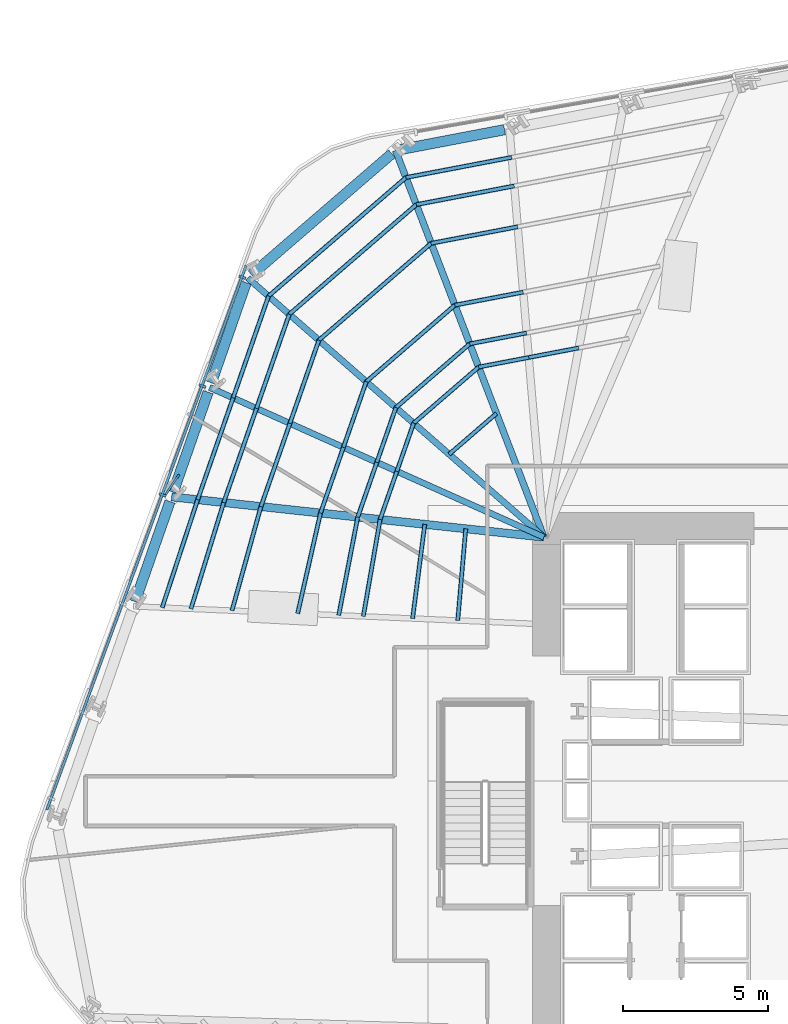
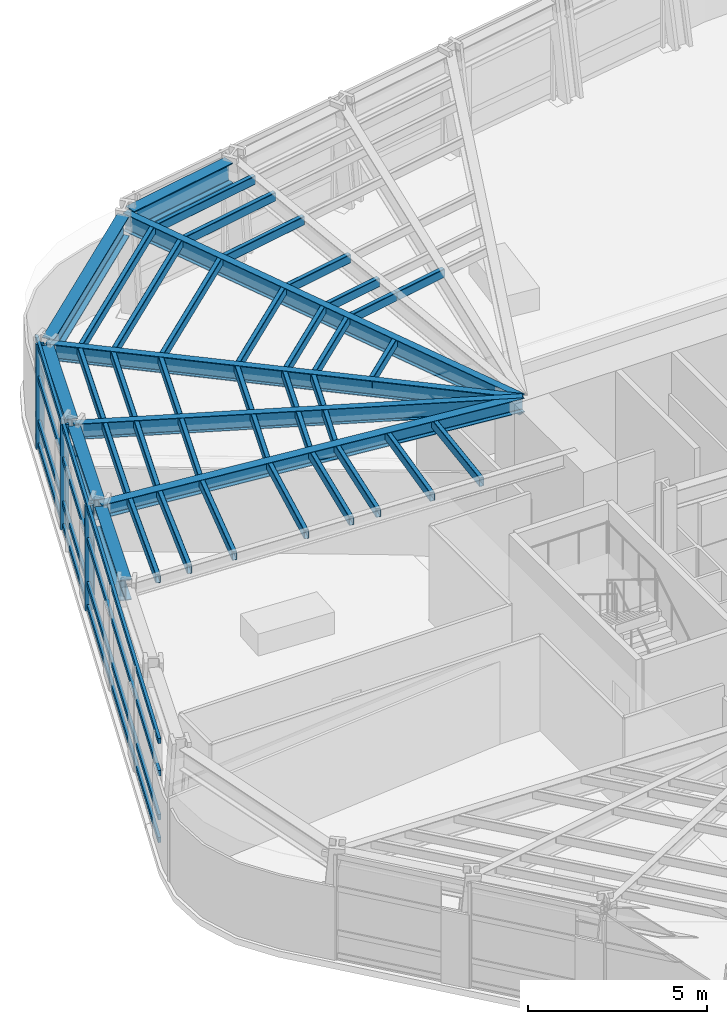
# One storey, part 5 of 16: 42 members, 9 beams, 1 element without a shape of its own.
"""IFC4 building model written with IfcOpenShell, lengths in metres."""

from ifc_helpers import new_model, si_unit, direction, frame, origin, origin_2d, place, context, subcontext, project, spatial, rectangle, hollow_rectangle, i_section, extrude, material, layer, layer_set, material_profile, profile_set, type_object, element, aggregate, save


model = new_model("IFC4")

# Units and contexts
model_context = context("Model", 3, precision=1e-05, world=origin(), true_north=direction((0.0, 1.0)))
body_context = subcontext(model_context, "Body", "Model", "MODEL_VIEW")
ifc_project = project(units=[si_unit("LENGTHUNIT", "METRE"), si_unit("AREAUNIT", "SQUARE_METRE"), si_unit("VOLUMEUNIT", "CUBIC_METRE"), si_unit("PLANEANGLEUNIT", "RADIAN"), si_unit("MASSUNIT", "GRAM", prefix="KILO")], contexts=[model_context])

# Site, building, storey
site_placement = place(None, origin())
site = spatial("IfcSite", under=ifc_project, at=site_placement, CompositionType="ELEMENT")
building_placement = place(site_placement, origin())
building = spatial("IfcBuilding", under=site, at=building_placement, Name="Valkerne Bourse Tower", CompositionType="ELEMENT")
storey_placement = place(building_placement, frame((0.0, 0.0, 65.800048828125)))
storey = spatial("IfcBuildingStorey", under=building, at=storey_placement, Name="L16", CompositionType="ELEMENT", Elevation=65.800048828125)

# Beams
ifc_material_1 = material(Name="Steel ASTM A992", Category="steel")
ifc_material_profile_1 = material_profile(ifc_material_1, i_section(OverallWidth=0.279296875, OverallDepth=0.46240234375, WebThickness=0.0107421875, FlangeThickness=0.017333984375, FilletRadius=0.017822265625, at=origin_2d()), Name="W18X76")
ifc_profile_set_1 = profile_set([ifc_material_profile_1], Name="Steel ASTM A992")
beam_type_1 = type_object("IfcBeamType", Name="BM-W18X76", PredefinedType="BEAM", material=ifc_profile_set_1)
beam_1_placement = place(storey_placement, frame((24.76171875, 36.790283203125, 3.3486328125), z_axis=(0.994186772589, -0.107669221274, 0.0), x_axis=(0.107669221274, 0.994186772589, 0.0)))
element("IfcBeam", 1, at=beam_1_placement, inside=storey, type_object=beam_type_1, Name="L16 Radial Composite Floor Beam 14", PredefinedType="BEAM", context=body_context, shape_type="SweptSolid", body=[
    extrude(i_section(OverallWidth=0.279296875, OverallDepth=0.46240234375, WebThickness=0.0107421875, FlangeThickness=0.017333984375, FilletRadius=0.017822265625, at=origin_2d()), origin(), (0.0, 0.0, 1.0), 12.913330078125),
])
ifc_material_profile_2 = material_profile(ifc_material_1, i_section(OverallWidth=0.209228515625, OverallDepth=0.533447265625, WebThickness=0.01025390625, FlangeThickness=0.015625, FilletRadius=0.017822265625, at=origin_2d()), Name="W21X62")
ifc_profile_set_2 = profile_set([ifc_material_profile_2], Name="Steel ASTM A992")
beam_type_2 = type_object("IfcBeamType", Name="BM-W21X62", PredefinedType="JOIST", material=ifc_profile_set_2)
beam_2_placement = place(storey_placement, frame((26.07568359375, 40.56396484375, 3.313232421875), z_axis=(0.912570029911, -0.408920457433, 0.0), x_axis=(0.408920457433, 0.912570029911, 0.0)))
element("IfcBeam", 2, at=beam_2_placement, inside=storey, type_object=beam_type_2, Name="L16 Radial Composite Floor Beam 13", PredefinedType="JOIST", context=body_context, shape_type="SweptSolid", body=[
    extrude(i_section(OverallWidth=0.209228515625, OverallDepth=0.533447265625, WebThickness=0.01025390625, FlangeThickness=0.015625, FilletRadius=0.017822265625, at=origin_2d()), origin(), (0.0, 0.0, 1.0), 12.62841796875),
])
ifc_material_profile_3 = material_profile(ifc_material_1, i_section(OverallWidth=0.2138671875, OverallDepth=0.548583984375, WebThickness=0.0146484375, FlangeThickness=0.023681640625, FilletRadius=0.017822265625, at=origin_2d()), Name="W21X93")
ifc_profile_set_3 = profile_set([ifc_material_profile_3], Name="Steel ASTM A992")
beam_type_3 = type_object("IfcBeamType", Name="BM-W21X93", PredefinedType="BEAM", material=ifc_profile_set_3)
beam_3_placement = place(storey_placement, frame((27.389892578125, 44.337646484375, 3.3056640625), z_axis=(0.752437360404, -0.658663813085, 0.0), x_axis=(0.658663813085, 0.752437360404, 0.0)))
element("IfcBeam", 3, at=beam_3_placement, inside=storey, type_object=beam_type_3, Name="L16 Radial Composite Floor Beam 12", PredefinedType="BEAM", context=body_context, shape_type="SweptSolid", body=[
    extrude(i_section(OverallWidth=0.2138671875, OverallDepth=0.548583984375, WebThickness=0.0146484375, FlangeThickness=0.023681640625, FilletRadius=0.017822265625, at=origin_2d()), origin(), (0.0, 0.0, 1.0), 13.569580078125),
])
ifc_material_profile_4 = material_profile(ifc_material_1, i_section(OverallWidth=0.228271484375, OverallDepth=0.607177734375, WebThickness=0.01123046875, FlangeThickness=0.017333984375, FilletRadius=0.017822265625, at=origin_2d()), Name="W24X76")
ifc_profile_set_4 = profile_set([ifc_material_profile_4], Name="Steel ASTM A992")
beam_type_4 = type_object("IfcBeamType", Name="BM-W24X76", PredefinedType="JOIST", material=ifc_profile_set_4)
beam_4_placement = place(storey_placement, frame((32.48388671875, 48.734619140625, 3.2763671875), z_axis=(0.358214942491, -0.933639146017, 0.0), x_axis=(0.933639146017, 0.358214942491, 0.0)))
element("IfcBeam", 4, at=beam_4_placement, inside=storey, type_object=beam_type_4, Name="L16 Radial Composite Floor Beam 11", PredefinedType="JOIST", context=body_context, shape_type="SweptSolid", body=[
    extrude(i_section(OverallWidth=0.228271484375, OverallDepth=0.607177734375, WebThickness=0.01123046875, FlangeThickness=0.017333984375, FilletRadius=0.017822265625, at=origin_2d()), origin(), (0.0, 0.0, 1.0), 14.282470703125),
])
ifc_material_profile_5 = material_profile(ifc_material_1, i_section(OverallWidth=0.358154296875, OverallDepth=0.7060546875, WebThickness=0.018310546875, FlangeThickness=0.0302734375, FilletRadius=0.02294921875, at=origin_2d()), Name="W27X178")
ifc_profile_set_5 = profile_set([ifc_material_profile_5], Name="Steel ASTM A992")
beam_type_5 = type_object("IfcBeamType", Name="BM-W27X178", PredefinedType="SPANDREL", material=ifc_profile_set_5)
beam_5_placement = place(storey_placement, frame((36.241943359375, 49.451416015625, 3.226806640625), z_axis=(-0.982298211292, -0.187323848166, 0.0), x_axis=(0.187323848166, -0.982298211292, 0.0)))
element("IfcBeam", 5, at=beam_5_placement, inside=storey, type_object=beam_type_5, Name="L16 Hexagonal Spandrel Ring Beam 10", PredefinedType="SPANDREL", context=body_context, shape_type="SweptSolid", body=[
    extrude(i_section(OverallWidth=0.358154296875, OverallDepth=0.7060546875, WebThickness=0.018310546875, FlangeThickness=0.0302734375, FilletRadius=0.02294921875, at=origin_2d()), origin(), (0.0, 0.0, 1.0), 3.65576171875),
])
beam_6_placement = place(storey_placement, frame((32.35498046875, 48.62353515625, 3.226806640625), z_axis=(-0.756986234467, -0.653430823291, 0.0), x_axis=(0.653430823291, -0.756986234467, 0.0)))
element("IfcBeam", 6, at=beam_6_placement, inside=storey, type_object=beam_type_5, Name="L16 Hexagonal Spandrel Ring Beam 11", PredefinedType="SPANDREL", context=body_context, shape_type="SweptSolid", body=[
    extrude(i_section(OverallWidth=0.358154296875, OverallDepth=0.7060546875, WebThickness=0.018310546875, FlangeThickness=0.0302734375, FilletRadius=0.02294921875, at=origin_2d()), origin(), (0.0, 0.0, 1.0), 6.38916015625),
])
beam_7_placement = place(storey_placement, frame((27.333984375, 44.17724609375, 3.226806640625), z_axis=(-0.328880615569, -0.94437150566, 0.0), x_axis=(0.94437150566, -0.328880615569, 0.0)))
element("IfcBeam", 7, at=beam_7_placement, inside=storey, type_object=beam_type_5, Name="L16 Hexagonal Spandrel Ring Beam 12", PredefinedType="SPANDREL", context=body_context, shape_type="SweptSolid", body=[
    extrude(i_section(OverallWidth=0.358154296875, OverallDepth=0.7060546875, WebThickness=0.018310546875, FlangeThickness=0.0302734375, FilletRadius=0.02294921875, at=origin_2d()), origin(), (0.0, 0.0, 1.0), 3.656005859375),
])
for number, where, z_axis, x_axis, name in (
    (8, (26.02001953125, 40.403564453125, 3.226806640625), (-0.328919426719, -0.94435798865, 0.0), (0.94435798865, -0.328919426719, 0.0), "L16 Hexagonal Spandrel Ring Beam 13"),
    (9, (24.705810546875, 36.6298828125, 3.226806640625), (-0.328859876585, -0.944378727827, 0.0), (0.944378727827, -0.328859876585, 0.0), "L16 Hexagonal Spandrel Ring Beam 14"),
):
    element("IfcBeam", number, at=place(storey_placement, frame(where, z_axis=z_axis, x_axis=x_axis)), inside=storey, type_object=beam_type_5, Name=name, PredefinedType="SPANDREL", context=body_context, shape_type="SweptSolid", body=[
        extrude(i_section(OverallWidth=0.358154296875, OverallDepth=0.7060546875, WebThickness=0.018310546875, FlangeThickness=0.0302734375, FilletRadius=0.02294921875, at=origin_2d()), origin(), (0.0, 0.0, 1.0), 3.65625),
    ])

# Curtain wall, members
ifc_material_2 = material(Name="Aluminium AA 6063-T6", Category="aluminium")
ifc_layer = layer(ifc_material_2, 0.22509765625)
ifc_layer_set = layer_set([ifc_layer], Name="Aluminium AA 6063-T6")
curtain_wall_type = type_object("IfcCurtainWallType", Name="CW-01", PredefinedType="NOTDEFINED", material=ifc_layer_set)
curtain_wall_placement = place(storey_placement, origin())
curtain_wall = element("IfcCurtainWall", 10, at=curtain_wall_placement, inside=storey, type_object=curtain_wall_type, Name="L16 Hexagonal Stick Curtain Wall Face 3", PredefinedType="NOTDEFINED")
ifc_material_profile_6 = material_profile(ifc_material_2, rectangle(XDim=0.090087890625, YDim=0.239990234375, at=origin_2d()), Name="CWM-90X240")
ifc_profile_set_6 = profile_set([ifc_material_profile_6], Name="Aluminium AA 6063-T6")
member_type_1 = type_object("IfcMemberType", Name="CW-MUL-240X90", PredefinedType="MULLION", material=ifc_profile_set_6)
member_1_placement = place(storey_placement, frame((27.201171875, 44.36279296875, 0.0), z_axis=(0.0, 0.0, 1.0), x_axis=(-0.343661198738, -0.939093701652, 0.0)))
member_1 = element("IfcMember", 11, at=member_1_placement, type_object=member_type_1, Name="CW-L16-F3 Jamb Mullion 00A", PredefinedType="MULLION", context=body_context, shape_type="SweptSolid", body=[
    extrude(rectangle(XDim=0.090087890625, YDim=0.239990234375, at=origin_2d()), origin(), (0.0, 0.0, 1.0), 3.579833984375),
])
member_2_placement = place(storey_placement, frame((25.827880859375, 40.610107421875, 0.0), z_axis=(0.0, 0.0, 1.0), x_axis=(-0.343669275067, -0.939090746081, 0.0)))
member_2 = element("IfcMember", 12, at=member_2_placement, type_object=member_type_1, Name="CW-L16-F3 Jamb Mullion 01A", PredefinedType="MULLION", context=body_context, shape_type="SweptSolid", body=[
    extrude(rectangle(XDim=0.090087890625, YDim=0.239990234375, at=origin_2d()), origin(), (0.0, 0.0, 1.0), 3.579833984375),
])
member_3_placement = place(storey_placement, frame((24.45458984375, 36.857666015625, 0.0), z_axis=(0.0, 0.0, 1.0), x_axis=(-0.343647205386, -0.939098822398, 0.0)))
member_3 = element("IfcMember", 13, at=member_3_placement, type_object=member_type_1, Name="CW-L16-F3 Jamb Mullion 02A", PredefinedType="MULLION", context=body_context, shape_type="SweptSolid", body=[
    extrude(rectangle(XDim=0.090087890625, YDim=0.239990234375, at=origin_2d()), origin(), (0.0, 0.0, 1.0), 3.579833984375),
])
ifc_material_profile_7 = material_profile(ifc_material_2, rectangle(XDim=0.090087890625, YDim=0.179931640625, at=origin_2d()), Name="CWT-90X180")
ifc_profile_set_7 = profile_set([ifc_material_profile_7], Name="Aluminium AA 6063-T6")
member_type_2 = type_object("IfcMemberType", Name="CW-TRN-180X90", PredefinedType="USERDEFINED", material=ifc_profile_set_7)
member_4_placement = place(storey_placement, frame((27.32666015625, 44.76416015625, 0.119873046875), z_axis=(-0.343664326706, -0.939092556966, 0.0), x_axis=(0.939092556966, -0.343664326706, 0.0)))
member_4 = element("IfcMember", 14, at=member_4_placement, type_object=member_type_2, Name="CW-L16-F3 Continuous Face Transom 1", ObjectType="TRANSOM", PredefinedType="USERDEFINED", context=body_context, shape_type="SweptSolid", body=[
    extrude(rectangle(XDim=0.090087890625, YDim=0.179931640625, at=origin_2d()), origin(), (0.0, 0.0, 1.0), 19.980224609375),
])
member_5_placement = place(storey_placement, frame((27.32666015625, 44.76416015625, 0.89990234375), z_axis=(-0.343664326706, -0.939092556966, 0.0), x_axis=(0.939092556966, -0.343664326706, 0.0)))
member_5 = element("IfcMember", 15, at=member_5_placement, type_object=member_type_2, Name="CW-L16-F3 Continuous Face Transom 2", ObjectType="TRANSOM", PredefinedType="USERDEFINED", context=body_context, shape_type="SweptSolid", body=[
    extrude(rectangle(XDim=0.090087890625, YDim=0.179931640625, at=origin_2d()), origin(), (0.0, 0.0, 1.0), 19.980224609375),
])
member_6_placement = place(storey_placement, frame((27.32666015625, 44.76416015625, 2.39990234375), z_axis=(-0.343664326706, -0.939092556966, 0.0), x_axis=(0.939092556966, -0.343664326706, 0.0)))
member_6 = element("IfcMember", 16, at=member_6_placement, type_object=member_type_2, Name="CW-L16-F3 Continuous Face Transom 3", ObjectType="TRANSOM", PredefinedType="USERDEFINED", context=body_context, shape_type="SweptSolid", body=[
    extrude(rectangle(XDim=0.090087890625, YDim=0.179931640625, at=origin_2d()), origin(), (0.0, 0.0, 1.0), 19.980224609375),
])
member_7_placement = place(storey_placement, frame((27.32666015625, 44.76416015625, 3.5), z_axis=(-0.343664326706, -0.939092556966, 0.0), x_axis=(0.939092556966, -0.343664326706, 0.0)))
member_7 = element("IfcMember", 17, at=member_7_placement, type_object=member_type_2, Name="CW-L16-F3 Continuous Face Transom 4", ObjectType="TRANSOM", PredefinedType="USERDEFINED", context=body_context, shape_type="SweptSolid", body=[
    extrude(rectangle(XDim=0.090087890625, YDim=0.179931640625, at=origin_2d()), origin(), (0.0, 0.0, 1.0), 19.980224609375),
])
aggregate(curtain_wall, [member_4, member_5, member_6, member_7, member_1, member_2, member_3])

# Members
ifc_material_3 = material(Name="Bronze Anodised Aluminium AA 6063-T6", Category="aluminium")
ifc_material_profile_8 = material_profile(ifc_material_3, rectangle(XDim=0.070068359375, YDim=0.89990234375, at=origin_2d()), Name="FIN-70X900")
ifc_profile_set_8 = profile_set([ifc_material_profile_8], Name="Bronze Anodised Aluminium AA 6063-T6")
member_type_3 = type_object("IfcMemberType", Name="FIN-SOLAR-900", PredefinedType="USERDEFINED", material=ifc_profile_set_8)
member_8_placement = place(storey_placement, frame((24.767822265625, 37.190185546875, 0.00390625), z_axis=(0.0, 0.0, 1.0), x_axis=(-0.828385006112, 0.560159157427, 0.0)))
element("IfcMember", 18, at=member_8_placement, inside=storey, type_object=member_type_3, Name="L16 Bronze Anodised Solar Fin F3-02", ObjectType="SOLAR_FIN", PredefinedType="USERDEFINED", context=body_context, shape_type="SweptSolid", body=[
    extrude(rectangle(XDim=0.070068359375, YDim=0.89990234375, at=origin_2d()), origin(), (0.0, 0.0, 1.0), 3.572021484375),
])
ifc_material_4 = material(Name="Steel ASTM A500 Grade C", Category="steel")
ifc_material_profile_9 = material_profile(ifc_material_4, hollow_rectangle(XDim=0.14990234375, YDim=0.300048828125, WallThickness=0.012451171875, OuterFilletRadius=0.02490234375, at=origin_2d()), Name="HSS300X150X12.5")
ifc_profile_set_9 = profile_set([ifc_material_profile_9], Name="Steel ASTM A500 Grade C")
member_type_4 = type_object("IfcMemberType", Name="MBR-HSS300X150X12.5", PredefinedType="PURLIN", material=ifc_profile_set_9)
member_9_placement = place(storey_placement, frame((35.962890625, 39.6669921875, 3.419921875), z_axis=(-0.757019270419, -0.653392549861, 0.0), x_axis=(0.653392549861, -0.757019270419, 0.0)))
element("IfcMember", 19, at=member_9_placement, inside=storey, type_object=member_type_4, Name="L16 Secondary Composite Floor Purlin I-11", PredefinedType="PURLIN", context=body_context, shape_type="SweptSolid", body=[
    extrude(hollow_rectangle(XDim=0.14990234375, YDim=0.300048828125, WallThickness=0.012451171875, OuterFilletRadius=0.02490234375, at=origin_2d()), origin(), (0.0, 0.0, 1.0), 2.1533203125),
])
member_10_placement = place(storey_placement, frame((33.49169921875, 35.844970703125, 3.419921875), z_axis=(-0.128382941001, -0.991724669684, 0.0), x_axis=(0.991724669684, -0.128382941001, 0.0)))
element("IfcMember", 20, at=member_10_placement, inside=storey, type_object=member_type_4, Name="L16 Secondary Composite Floor Purlin I-14", PredefinedType="PURLIN", context=body_context, shape_type="SweptSolid", body=[
    extrude(hollow_rectangle(XDim=0.14990234375, YDim=0.300048828125, WallThickness=0.012451171875, OuterFilletRadius=0.02490234375, at=origin_2d()), origin(), (0.0, 0.0, 1.0), 3.274658203125),
])
member_11_placement = place(storey_placement, frame((38.802978515625, 41.926025390625, 3.419921875), z_axis=(-0.982298435381, -0.187322673075, 0.0), x_axis=(0.187322673075, -0.982298435381, 0.0)))
element("IfcMember", 21, at=member_11_placement, inside=storey, type_object=member_type_4, Name="L16 Secondary Composite Floor Purlin K-09", PredefinedType="PURLIN", context=body_context, shape_type="SweptSolid", body=[
    extrude(hollow_rectangle(XDim=0.14990234375, YDim=0.300048828125, WallThickness=0.012451171875, OuterFilletRadius=0.02490234375, at=origin_2d()), origin(), (0.0, 0.0, 1.0), 1.758056640625),
])
member_12_placement = place(storey_placement, frame((37.075927734375, 41.5966796875, 3.419921875), z_axis=(-0.982272875656, -0.187456655659, 0.0), x_axis=(0.187456655659, -0.982272875656, 0.0)))
element("IfcMember", 22, at=member_12_placement, inside=storey, type_object=member_type_4, Name="L16 Secondary Composite Floor Purlin K-10", PredefinedType="PURLIN", context=body_context, shape_type="SweptSolid", body=[
    extrude(hollow_rectangle(XDim=0.14990234375, YDim=0.300048828125, WallThickness=0.012451171875, OuterFilletRadius=0.02490234375, at=origin_2d()), origin(), (0.0, 0.0, 1.0), 1.75830078125),
])
member_13_placement = place(storey_placement, frame((35.348876953125, 41.26708984375, 3.419921875), z_axis=(-0.756993564397, -0.653422331621, 0.0), x_axis=(0.653422331621, -0.756993564397, 0.0)))
element("IfcMember", 23, at=member_13_placement, inside=storey, type_object=member_type_4, Name="L16 Secondary Composite Floor Purlin K-11", PredefinedType="PURLIN", context=body_context, shape_type="SweptSolid", body=[
    extrude(hollow_rectangle(XDim=0.14990234375, YDim=0.300048828125, WallThickness=0.012451171875, OuterFilletRadius=0.02490234375, at=origin_2d()), origin(), (0.0, 0.0, 1.0), 2.960693359375),
])
member_14_placement = place(storey_placement, frame((33.107666015625, 39.33251953125, 3.419921875), z_axis=(-0.328946052704, -0.944348714411, 0.0), x_axis=(0.944348714411, -0.328946052704, 0.0)))
element("IfcMember", 24, at=member_14_placement, inside=storey, type_object=member_type_4, Name="L16 Secondary Composite Floor Purlin K-12", PredefinedType="PURLIN", context=body_context, shape_type="SweptSolid", body=[
    extrude(hollow_rectangle(XDim=0.14990234375, YDim=0.300048828125, WallThickness=0.012451171875, OuterFilletRadius=0.02490234375, at=origin_2d()), origin(), (0.0, 0.0, 1.0), 1.75830078125),
])
member_15_placement = place(storey_placement, frame((32.529296875, 37.672119140625, 3.419921875), z_axis=(-0.328822214639, -0.94439184196, 0.0), x_axis=(0.94439184196, -0.328822214639, 0.0)))
element("IfcMember", 25, at=member_15_placement, inside=storey, type_object=member_type_4, Name="L16 Secondary Composite Floor Purlin K-13", PredefinedType="PURLIN", context=body_context, shape_type="SweptSolid", body=[
    extrude(hollow_rectangle(XDim=0.14990234375, YDim=0.300048828125, WallThickness=0.012451171875, OuterFilletRadius=0.02490234375, at=origin_2d()), origin(), (0.0, 0.0, 1.0), 1.758056640625),
])
member_16_placement = place(storey_placement, frame((31.951171875, 36.01171875, 3.419921875), z_axis=(-0.17060866657, -0.985338867036, 0.0), x_axis=(0.985338867036, -0.17060866657, 0.0)))
element("IfcMember", 26, at=member_16_placement, inside=storey, type_object=member_type_4, Name="L16 Secondary Composite Floor Purlin K-14", PredefinedType="PURLIN", context=body_context, shape_type="SweptSolid", body=[
    extrude(hollow_rectangle(XDim=0.14990234375, YDim=0.300048828125, WallThickness=0.012451171875, OuterFilletRadius=0.02490234375, at=origin_2d()), origin(), (0.0, 0.0, 1.0), 3.39013671875),
])
member_17_placement = place(storey_placement, frame((37.00439453125, 42.441650390625, 3.419921875), z_axis=(-0.982294684206, -0.187342342733, 0.0), x_axis=(0.187342342733, -0.982294684206, 0.0)))
element("IfcMember", 27, at=member_17_placement, inside=storey, type_object=member_type_4, Name="L16 Secondary Composite Floor Purlin M-10", PredefinedType="PURLIN", context=body_context, shape_type="SweptSolid", body=[
    extrude(hollow_rectangle(XDim=0.14990234375, YDim=0.300048828125, WallThickness=0.012451171875, OuterFilletRadius=0.02490234375, at=origin_2d()), origin(), (0.0, 0.0, 1.0), 1.997802734375),
])
member_18_placement = place(storey_placement, frame((35.0419921875, 42.0673828125, 3.419921875), z_axis=(-0.75698288254, -0.65343470641, 0.0), x_axis=(0.65343470641, -0.75698288254, 0.0)))
element("IfcMember", 28, at=member_18_placement, inside=storey, type_object=member_type_4, Name="L16 Secondary Composite Floor Purlin M-11", PredefinedType="PURLIN", context=body_context, shape_type="SweptSolid", body=[
    extrude(hollow_rectangle(XDim=0.14990234375, YDim=0.300048828125, WallThickness=0.012451171875, OuterFilletRadius=0.02490234375, at=origin_2d()), origin(), (0.0, 0.0, 1.0), 3.364501953125),
])
member_19_placement = place(storey_placement, frame((32.4951171875, 39.868896484375, 3.419921875), z_axis=(-0.328918671677, -0.94435825163, 0.0), x_axis=(0.94435825163, -0.328918671677, 0.0)))
element("IfcMember", 29, at=member_19_placement, inside=storey, type_object=member_type_4, Name="L16 Secondary Composite Floor Purlin M-12", PredefinedType="PURLIN", context=body_context, shape_type="SweptSolid", body=[
    extrude(hollow_rectangle(XDim=0.14990234375, YDim=0.300048828125, WallThickness=0.012451171875, OuterFilletRadius=0.02490234375, at=origin_2d()), origin(), (0.0, 0.0, 1.0), 1.998046875),
])
member_20_placement = place(storey_placement, frame((31.837890625, 37.98193359375, 3.419921875), z_axis=(-0.328847647055, -0.944382986413, 0.0), x_axis=(0.944382986413, -0.328847647055, 0.0)))
element("IfcMember", 30, at=member_20_placement, inside=storey, type_object=member_type_4, Name="L16 Secondary Composite Floor Purlin M-13", PredefinedType="PURLIN", context=body_context, shape_type="SweptSolid", body=[
    extrude(hollow_rectangle(XDim=0.14990234375, YDim=0.300048828125, WallThickness=0.012451171875, OuterFilletRadius=0.02490234375, at=origin_2d()), origin(), (0.0, 0.0, 1.0), 1.997802734375),
])
member_21_placement = place(storey_placement, frame((31.180908203125, 36.09521484375, 3.419921875), z_axis=(-0.190492735903, -0.981688605194, 0.0), x_axis=(0.981688605194, -0.190492735903, 0.0)))
element("IfcMember", 31, at=member_21_placement, inside=storey, type_object=member_type_4, Name="L16 Secondary Composite Floor Purlin M-14", PredefinedType="PURLIN", context=body_context, shape_type="SweptSolid", body=[
    extrude(hollow_rectangle(XDim=0.14990234375, YDim=0.300048828125, WallThickness=0.012451171875, OuterFilletRadius=0.02490234375, at=origin_2d()), origin(), (0.0, 0.0, 1.0), 3.4501953125),
])
member_22_placement = place(storey_placement, frame((36.69482421875, 46.103515625, 3.419921875), z_axis=(-0.982270954697, -0.187466721201, 0.0), x_axis=(0.187466721201, -0.982270954697, 0.0)))
element("IfcMember", 32, at=member_22_placement, inside=storey, type_object=member_type_4, Name="L16 Secondary Composite Floor Purlin O-10", PredefinedType="PURLIN", context=body_context, shape_type="SweptSolid", body=[
    extrude(hollow_rectangle(XDim=0.14990234375, YDim=0.300048828125, WallThickness=0.012451171875, OuterFilletRadius=0.02490234375, at=origin_2d()), origin(), (0.0, 0.0, 1.0), 3.037109375),
])
member_23_placement = place(storey_placement, frame((33.711669921875, 45.5341796875, 3.419921875), z_axis=(-0.757004388513, -0.653409791611, 0.0), x_axis=(0.653409791611, -0.757004388513, 0.0)))
element("IfcMember", 33, at=member_23_placement, inside=storey, type_object=member_type_4, Name="L16 Secondary Composite Floor Purlin O-11", PredefinedType="PURLIN", context=body_context, shape_type="SweptSolid", body=[
    extrude(hollow_rectangle(XDim=0.14990234375, YDim=0.300048828125, WallThickness=0.012451171875, OuterFilletRadius=0.02490234375, at=origin_2d()), origin(), (0.0, 0.0, 1.0), 5.114013671875),
])
member_24_placement = place(storey_placement, frame((29.84033203125, 42.192626953125, 3.419921875), z_axis=(-0.328885416657, -0.944369833651, 0.0), x_axis=(0.944369833651, -0.328885416657, 0.0)))
element("IfcMember", 34, at=member_24_placement, inside=storey, type_object=member_type_4, Name="L16 Secondary Composite Floor Purlin O-12", PredefinedType="PURLIN", context=body_context, shape_type="SweptSolid", body=[
    extrude(hollow_rectangle(XDim=0.14990234375, YDim=0.300048828125, WallThickness=0.012451171875, OuterFilletRadius=0.02490234375, at=origin_2d()), origin(), (0.0, 0.0, 1.0), 3.036865234375),
])
member_25_placement = place(storey_placement, frame((28.841552734375, 39.32470703125, 3.419921875), z_axis=(-0.328860449397, -0.944378528358, 0.0), x_axis=(0.944378528358, -0.328860449397, 0.0)))
element("IfcMember", 35, at=member_25_placement, inside=storey, type_object=member_type_4, Name="L16 Secondary Composite Floor Purlin O-13", PredefinedType="PURLIN", context=body_context, shape_type="SweptSolid", body=[
    extrude(hollow_rectangle(XDim=0.14990234375, YDim=0.300048828125, WallThickness=0.012451171875, OuterFilletRadius=0.02490234375, at=origin_2d()), origin(), (0.0, 0.0, 1.0), 3.037109375),
])
member_26_placement = place(storey_placement, frame((27.8427734375, 36.45654296875, 3.419921875), z_axis=(-0.268161080313, -0.963374088818, 0.0), x_axis=(0.963374088818, -0.268161080313, 0.0)))
element("IfcMember", 36, at=member_26_placement, inside=storey, type_object=member_type_4, Name="L16 Secondary Composite Floor Purlin O-14", PredefinedType="PURLIN", context=body_context, shape_type="SweptSolid", body=[
    extrude(hollow_rectangle(XDim=0.14990234375, YDim=0.300048828125, WallThickness=0.012451171875, OuterFilletRadius=0.02490234375, at=origin_2d()), origin(), (0.0, 0.0, 1.0), 3.724609375),
])
member_27_placement = place(storey_placement, frame((36.885498046875, 43.85009765625, 3.419921875), z_axis=(-0.982292192074, -0.18735540929, 0.0), x_axis=(0.18735540929, -0.982292192074, 0.0)))
element("IfcMember", 37, at=member_27_placement, inside=storey, type_object=member_type_4, Name="L16 Secondary Composite Floor Purlin Z-10", PredefinedType="PURLIN", context=body_context, shape_type="SweptSolid", body=[
    extrude(hollow_rectangle(XDim=0.14990234375, YDim=0.300048828125, WallThickness=0.012451171875, OuterFilletRadius=0.02490234375, at=origin_2d()), origin(), (0.0, 0.0, 1.0), 2.397705078125),
])
member_28_placement = place(storey_placement, frame((34.5302734375, 43.40087890625, 3.419921875), z_axis=(-0.756998373381, -0.653416760344, 0.0), x_axis=(0.653416760344, -0.756998373381, 0.0)))
element("IfcMember", 38, at=member_28_placement, inside=storey, type_object=member_type_4, Name="L16 Secondary Composite Floor Purlin Z-11", PredefinedType="PURLIN", context=body_context, shape_type="SweptSolid", body=[
    extrude(hollow_rectangle(XDim=0.14990234375, YDim=0.300048828125, WallThickness=0.012451171875, OuterFilletRadius=0.02490234375, at=origin_2d()), origin(), (0.0, 0.0, 1.0), 4.03759765625),
])
member_29_placement = place(storey_placement, frame((31.473876953125, 40.7626953125, 3.419921875), z_axis=(-0.328785213474, -0.944404724364, 0.0), x_axis=(0.944404724364, -0.328785213474, 0.0)))
element("IfcMember", 39, at=member_29_placement, inside=storey, type_object=member_type_4, Name="L16 Secondary Composite Floor Purlin Z-12", PredefinedType="PURLIN", context=body_context, shape_type="SweptSolid", body=[
    extrude(hollow_rectangle(XDim=0.14990234375, YDim=0.300048828125, WallThickness=0.012451171875, OuterFilletRadius=0.02490234375, at=origin_2d()), origin(), (0.0, 0.0, 1.0), 2.397705078125),
])
member_30_placement = place(storey_placement, frame((30.685546875, 38.498291015625, 3.419921875), z_axis=(-0.328907650564, -0.944362090196, 0.0), x_axis=(0.944362090196, -0.328907650564, 0.0)))
element("IfcMember", 40, at=member_30_placement, inside=storey, type_object=member_type_4, Name="L16 Secondary Composite Floor Purlin Z-13", PredefinedType="PURLIN", context=body_context, shape_type="SweptSolid", body=[
    extrude(hollow_rectangle(XDim=0.14990234375, YDim=0.300048828125, WallThickness=0.012451171875, OuterFilletRadius=0.02490234375, at=origin_2d()), origin(), (0.0, 0.0, 1.0), 2.3974609375),
])
member_31_placement = place(storey_placement, frame((29.89697265625, 36.234130859375, 3.419921875), z_axis=(-0.221962660322, -0.975055166348, 0.0), x_axis=(0.975055166348, -0.221962660322, 0.0)))
element("IfcMember", 41, at=member_31_placement, inside=storey, type_object=member_type_4, Name="L16 Secondary Composite Floor Purlin Z-14", PredefinedType="PURLIN", context=body_context, shape_type="SweptSolid", body=[
    extrude(hollow_rectangle(XDim=0.14990234375, YDim=0.300048828125, WallThickness=0.012451171875, OuterFilletRadius=0.02490234375, at=origin_2d()), origin(), (0.0, 0.0, 1.0), 3.552734375),
])
member_32_placement = place(storey_placement, frame((34.90380859375, 35.69189453125, 3.419921875), z_axis=(-0.086908393987, -0.996216307362, 0.0), x_axis=(0.996216307362, -0.086908393987, 0.0)))
element("IfcMember", 42, at=member_32_placement, inside=storey, type_object=member_type_4, Name="L16 Secondary Composite Floor Purlin S-14", PredefinedType="PURLIN", context=body_context, shape_type="SweptSolid", body=[
    extrude(hollow_rectangle(XDim=0.14990234375, YDim=0.300048828125, WallThickness=0.012451171875, OuterFilletRadius=0.02490234375, at=origin_2d()), origin(), (0.0, 0.0, 1.0), 3.17431640625),
])
member_33_placement = place(storey_placement, frame((36.57568359375, 47.51171875, 3.419921875), z_axis=(-0.982293142179, -0.187350427884, 0.0), x_axis=(0.187350427884, -0.982293142179, 0.0)))
element("IfcMember", 43, at=member_33_placement, inside=storey, type_object=member_type_4, Name="L16 Secondary Composite Floor Purlin T-10", PredefinedType="PURLIN", context=body_context, shape_type="SweptSolid", body=[
    extrude(hollow_rectangle(XDim=0.14990234375, YDim=0.300048828125, WallThickness=0.012451171875, OuterFilletRadius=0.02490234375, at=origin_2d()), origin(), (0.0, 0.0, 1.0), 3.436279296875),
])
member_34_placement = place(storey_placement, frame((33.2001953125, 46.867919921875, 3.419921875), z_axis=(-0.756991827759, -0.653424343522, 0.0), x_axis=(0.653424343522, -0.756991827759, 0.0)))
element("IfcMember", 44, at=member_34_placement, inside=storey, type_object=member_type_4, Name="L16 Secondary Composite Floor Purlin T-11", PredefinedType="PURLIN", context=body_context, shape_type="SweptSolid", body=[
    extrude(hollow_rectangle(XDim=0.14990234375, YDim=0.300048828125, WallThickness=0.012451171875, OuterFilletRadius=0.02490234375, at=origin_2d()), origin(), (0.0, 0.0, 1.0), 5.787109375),
])
for number, where, z_axis, x_axis, name in (
    (45, (28.8193359375, 43.08642578125, 3.419921875), (-0.328859527149, -0.944378849511, 0.0), (0.944378849511, -0.328859527149, 0.0), "L16 Secondary Composite Floor Purlin T-12"),
    (46, (27.689208984375, 39.841064453125, 3.419921875), (-0.328859527149, -0.944378849511, 0.0), (0.944378849511, -0.328859527149, 0.0), "L16 Secondary Composite Floor Purlin T-13"),
):
    element("IfcMember", number, at=place(storey_placement, frame(where, z_axis=z_axis, x_axis=x_axis)), inside=storey, type_object=member_type_4, Name=name, PredefinedType="PURLIN", context=body_context, shape_type="SweptSolid", body=[
        extrude(hollow_rectangle(XDim=0.14990234375, YDim=0.300048828125, WallThickness=0.012451171875, OuterFilletRadius=0.02490234375, at=origin_2d()), origin(), (0.0, 0.0, 1.0), 3.4365234375),
    ])
member_35_placement = place(storey_placement, frame((26.55908203125, 36.595703125, 3.419921875), z_axis=(-0.294626982434, -0.955612338358, 0.0), x_axis=(0.955612338358, -0.294626982434, 0.0)))
element("IfcMember", 47, at=member_35_placement, inside=storey, type_object=member_type_4, Name="L16 Secondary Composite Floor Purlin T-14", PredefinedType="PURLIN", context=body_context, shape_type="SweptSolid", body=[
    extrude(hollow_rectangle(XDim=0.14990234375, YDim=0.300048828125, WallThickness=0.012451171875, OuterFilletRadius=0.02490234375, at=origin_2d()), origin(), (0.0, 0.0, 1.0), 3.835693359375),
])
member_36_placement = place(storey_placement, frame((36.492431640625, 48.49755859375, 3.419921875), z_axis=(-0.982292537961, -0.187353595818, 0.0), x_axis=(0.187353595818, -0.982292537961, 0.0)))
element("IfcMember", 48, at=member_36_placement, inside=storey, type_object=member_type_4, Name="L16 Secondary Composite Floor Purlin U-10", PredefinedType="PURLIN", context=body_context, shape_type="SweptSolid", body=[
    extrude(hollow_rectangle(XDim=0.14990234375, YDim=0.300048828125, WallThickness=0.012451171875, OuterFilletRadius=0.02490234375, at=origin_2d()), origin(), (0.0, 0.0, 1.0), 3.716552734375),
])
member_37_placement = place(storey_placement, frame((32.841796875, 47.80126953125, 3.419921875), z_axis=(-0.756996667037, -0.653418737178, 0.0), x_axis=(0.653418737178, -0.756996667037, 0.0)))
element("IfcMember", 49, at=member_37_placement, inside=storey, type_object=member_type_4, Name="L16 Secondary Composite Floor Purlin U-11", PredefinedType="PURLIN", context=body_context, shape_type="SweptSolid", body=[
    extrude(hollow_rectangle(XDim=0.14990234375, YDim=0.300048828125, WallThickness=0.012451171875, OuterFilletRadius=0.02490234375, at=origin_2d()), origin(), (0.0, 0.0, 1.0), 6.258056640625),
])
member_38_placement = place(storey_placement, frame((28.1044921875, 43.712158203125, 3.419921875), z_axis=(-0.32879324256, -0.944401929078, 0.0), x_axis=(0.944401929078, -0.32879324256, 0.0)))
element("IfcMember", 50, at=member_38_placement, inside=storey, type_object=member_type_4, Name="L16 Secondary Composite Floor Purlin U-12", PredefinedType="PURLIN", context=body_context, shape_type="SweptSolid", body=[
    extrude(hollow_rectangle(XDim=0.14990234375, YDim=0.300048828125, WallThickness=0.012451171875, OuterFilletRadius=0.02490234375, at=origin_2d()), origin(), (0.0, 0.0, 1.0), 3.71630859375),
])
member_39_placement = place(storey_placement, frame((26.882568359375, 40.202392578125, 3.419921875), z_axis=(-0.328892639173, -0.944367318313, 0.0), x_axis=(0.944367318313, -0.328892639173, 0.0)))
element("IfcMember", 51, at=member_39_placement, inside=storey, type_object=member_type_4, Name="L16 Secondary Composite Floor Purlin U-13", PredefinedType="PURLIN", context=body_context, shape_type="SweptSolid", body=[
    extrude(hollow_rectangle(XDim=0.14990234375, YDim=0.300048828125, WallThickness=0.012451171875, OuterFilletRadius=0.02490234375, at=origin_2d()), origin(), (0.0, 0.0, 1.0), 3.716064453125),
])
member_40_placement = place(storey_placement, frame((25.660400390625, 36.693115234375, 3.419921875), z_axis=(-0.312146857107, -0.950033862343, 0.0), x_axis=(0.950033862343, -0.312146857107, 0.0)))
element("IfcMember", 52, at=member_40_placement, inside=storey, type_object=member_type_4, Name="L16 Secondary Composite Floor Purlin U-14", PredefinedType="PURLIN", context=body_context, shape_type="SweptSolid", body=[
    extrude(hollow_rectangle(XDim=0.14990234375, YDim=0.300048828125, WallThickness=0.012451171875, OuterFilletRadius=0.02490234375, at=origin_2d()), origin(), (0.0, 0.0, 1.0), 3.915283203125),
])

save(model, "model.ifc")
